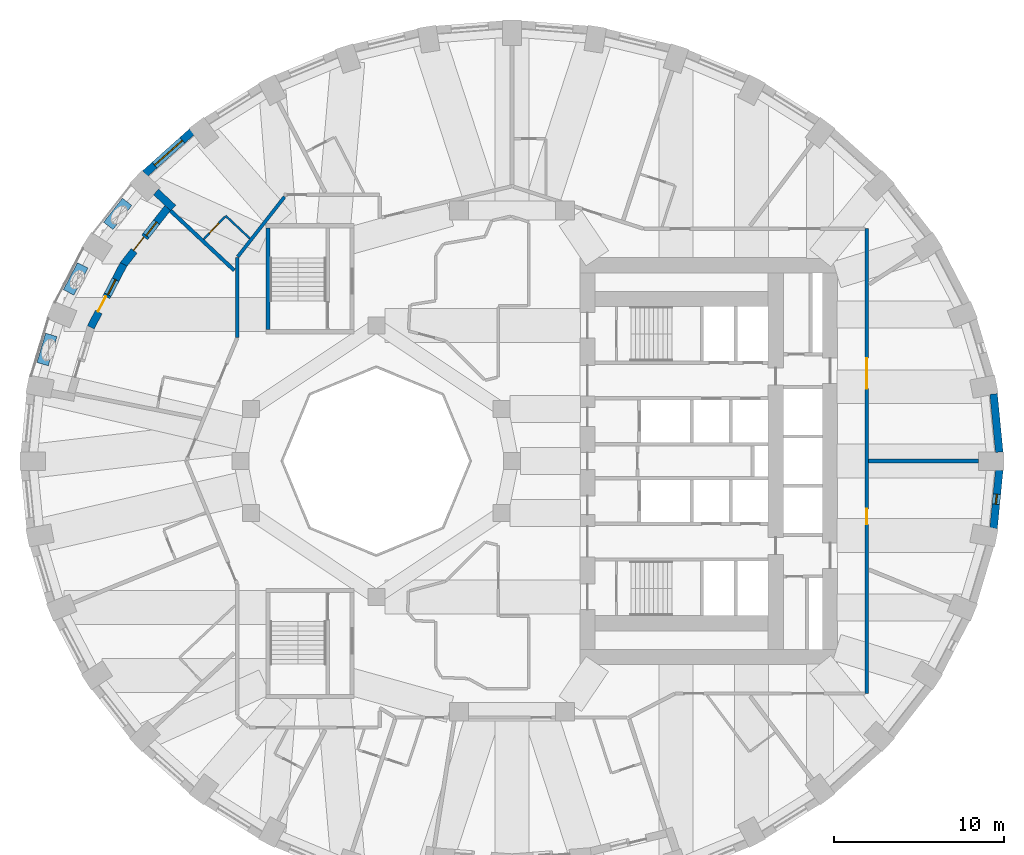
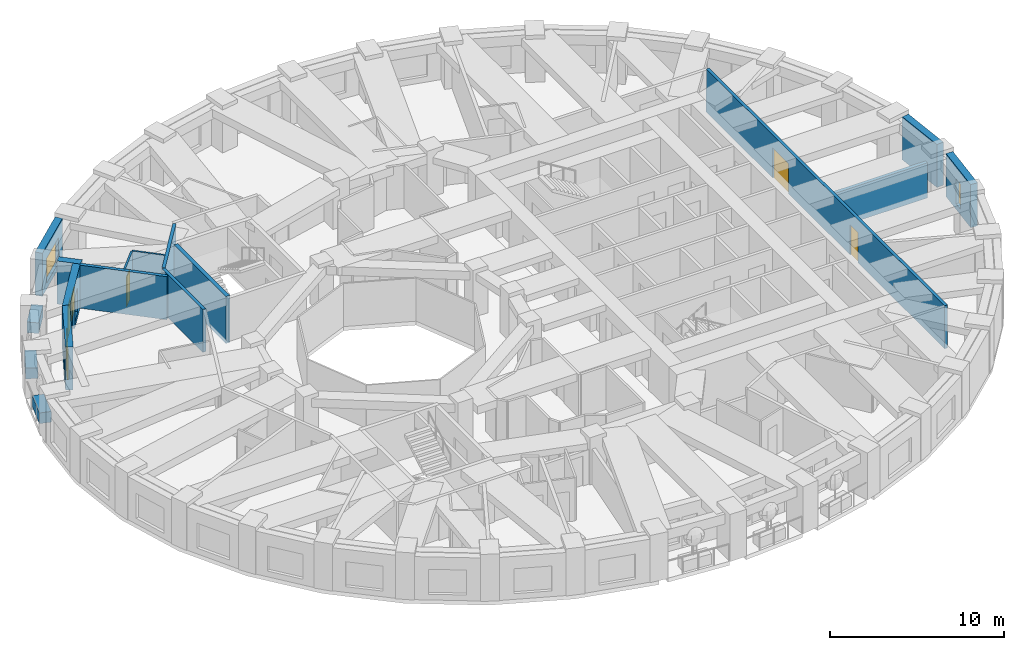
# One storey, part 7 of 13: 17 walls, 5 doors, 4 windows, 9 openings.
"""IFC4 building model written with IfcOpenShell, lengths in metres."""

import ifcopenshell
import ifcopenshell.guid

model = None  # the IFC model being written
_history = None  # IfcOwnerHistory: only IFC2X3 demands one
_inside = {}  # id of a spatial element -> (the spatial element, [elements in it])
_under = {}  # id of a project, library or spatial element -> (it, [spatial elements below it])
_declared = {}  # id of a project -> (the project, [libraries it declares])
_typed = {}  # id of a type object -> (the type object, [elements of that type])
_made_of = {}  # id of a material, layer set ... -> (it, [elements and type objects made of it])


def new_model(schema):
    """Start an empty IFC model of exactly this schema.

    Asked for "IFC4X3", IfcOpenShell would pick the latest addendum, in which some entities
    have other attributes; the version numbers below select the first issue.
    IFC2X3 requires an IfcOwnerHistory on every rooted entity: one is made here for all.
    """
    global model, _history
    if schema == "IFC4X3":
        model = ifcopenshell.file(schema_version=(4, 3, 0, 0))
    else:
        model = ifcopenshell.file(schema=schema)
    _inside.clear()
    _under.clear()
    _declared.clear()
    _typed.clear()
    _made_of.clear()
    _history = None
    if model.schema == "IFC2X3":
        org = make("IfcOrganization", Name="unknown")
        user = make(
            "IfcPersonAndOrganization",
            ThePerson=make("IfcPerson", FamilyName="unknown"),
            TheOrganization=org,
        )
        app = make(
            "IfcApplication",
            ApplicationDeveloper=org,
            Version="unknown",
            ApplicationFullName="unknown",
            ApplicationIdentifier="unknown",
        )
        _history = make(
            "IfcOwnerHistory",
            OwningUser=user,
            OwningApplication=app,
            ChangeAction="ADDED",
            CreationDate=0,
        )
    return model


def make(cls, **values):
    """One entity of the class cls with the attributes given. An attribute that is None is left unset."""
    return model.create_entity(
        cls, **{name: value for name, value in values.items() if value is not None}
    )


def rooted(cls, **values):
    """An entity with a GlobalId (a new one), such as an element, a storey or a relation."""
    return make(cls, GlobalId=ifcopenshell.guid.new(), OwnerHistory=_history, **values)


def si_unit(unit_type, name, prefix=None):
    """IfcSIUnit, for example si_unit("LENGTHUNIT", "METRE", prefix="MILLI")."""
    return make("IfcSIUnit", UnitType=unit_type, Prefix=prefix, Name=name)


def assignment(units):
    """IfcUnitAssignment: the units of a project."""
    return None if units is None else make("IfcUnitAssignment", Units=units)


def point(xyz):
    """IfcCartesianPoint."""
    return None if xyz is None else make("IfcCartesianPoint", Coordinates=xyz)


def direction(xyz):
    """IfcDirection."""
    return None if xyz is None else make("IfcDirection", DirectionRatios=xyz)


def frame(location, z_axis=None, x_axis=None):
    """IfcAxis2Placement3D, a coordinate frame: its origin and axes. An axis left out is left unset."""
    return make(
        "IfcAxis2Placement3D",
        Location=point(location),
        Axis=direction(z_axis),
        RefDirection=direction(x_axis),
    )


def frame_2d(location, x_axis=None):
    """IfcAxis2Placement2D, a coordinate frame in the plane: its origin and x axis."""
    return make(
        "IfcAxis2Placement2D", Location=point(location), RefDirection=direction(x_axis)
    )


def origin():
    """The frame at (0, 0, 0) with its axes left unset."""
    return frame((0.0, 0.0, 0.0))


def place(relative_to, where):
    """IfcLocalPlacement: puts the frame where relative to a parent placement (None: the world)."""
    return make(
        "IfcLocalPlacement", PlacementRelTo=relative_to, RelativePlacement=where
    )


def context(
    kind, dimensions, precision=None, world=None, true_north=None, identifier=None
):
    """IfcGeometricRepresentationContext, for example the 3D "Model" context."""
    return make(
        "IfcGeometricRepresentationContext",
        ContextIdentifier=identifier,
        ContextType=kind,
        CoordinateSpaceDimension=dimensions,
        Precision=precision,
        WorldCoordinateSystem=world,
        TrueNorth=true_north,
    )


def subcontext(parent, identifier, kind, view, scale=None):
    """IfcGeometricRepresentationSubContext, for example "Body" below "Model"."""
    return make(
        "IfcGeometricRepresentationSubContext",
        ContextIdentifier=identifier,
        ContextType=kind,
        ParentContext=parent,
        TargetScale=scale,
        TargetView=view,
    )


def project(units=None, contexts=None):
    """IfcProject with its units and contexts."""
    return rooted(
        "IfcProject",
        Name="project",
        RepresentationContexts=contexts,
        UnitsInContext=assignment(units),
    )


def spatial(cls, under=None, at=None, **own):
    """A site, building, storey or space (cls), placed at a placement, below another one or the project."""
    s = rooted(cls, ObjectPlacement=at, **own)
    if under is not None:
        _under.setdefault(under.id(), (under, []))[1].append(s)
    return s


def profile(cls, at=None, kind="AREA", **sizes):
    """A parametric profile (cls). Its sizes go by their IFC names, for example OverallWidth=200.0."""
    return make(cls, ProfileType=kind, Position=at, **sizes)


def rectangle(**sizes):
    """IfcRectangleProfileDef."""
    return profile("IfcRectangleProfileDef", **sizes)


def extrude(swept, where, along, depth):
    """IfcExtrudedAreaSolid: the profile swept, set in the frame where, extruded along a direction by depth."""
    return make(
        "IfcExtrudedAreaSolid",
        SweptArea=swept,
        Position=where,
        ExtrudedDirection=direction(along),
        Depth=depth,
    )


def shape(context_of_items, identifier, shape_type, items):
    """IfcShapeRepresentation: the items that make up one representation, for example the "Body"."""
    return make(
        "IfcShapeRepresentation",
        ContextOfItems=context_of_items,
        RepresentationIdentifier=identifier,
        RepresentationType=shape_type,
        Items=items,
    )


def material(Name=None, Category=None):
    """IfcMaterial."""
    return make("IfcMaterial", Name=Name, Category=Category)


def layer(
    of_material, thickness, ventilated=None, Name=None, Category=None, Priority=None
):
    """IfcMaterialLayer: one layer of a wall or slab, of a material (None: an air gap)."""
    return make(
        "IfcMaterialLayer",
        Material=of_material,
        LayerThickness=thickness,
        IsVentilated=ventilated,
        Name=Name,
        Category=Category,
        Priority=Priority,
    )


def layer_set(layers, Name=None):
    """IfcMaterialLayerSet."""
    return make("IfcMaterialLayerSet", MaterialLayers=layers, LayerSetName=Name)


def constituent(of_material, Name=None, Category=None, fraction=None):
    """IfcMaterialConstituent: one of the materials an element consists of."""
    return make(
        "IfcMaterialConstituent",
        Name=Name,
        Material=of_material,
        Fraction=fraction,
        Category=Category,
    )


def constituent_set(constituents=None, Name=None):
    """IfcMaterialConstituentSet."""
    return make(
        "IfcMaterialConstituentSet", Name=Name, MaterialConstituents=constituents
    )


def made_of(thing, what):
    """Note that an element or type object is made of a material, layer set ...; save() writes the relation."""
    if what is not None:
        _made_of.setdefault(what.id(), (what, []))[1].append(thing)
    return thing


def type_object(cls, material=None, **own):
    """A type object (cls), such as IfcWallType, which elements share."""
    return made_of(rooted(cls, **own), material)


def element(
    cls,
    number,
    at=None,
    inside=None,
    cuts=None,
    type_object=None,
    material=None,
    context=None,
    identifier="Body",
    shape_type=None,
    held_by="IfcProductDefinitionShape",
    body=None,
    shapes=None,
    **own,
):
    """One element of the class cls, such as IfcWall. Its Tag is "e" and its number.

    at: its placement. inside: the storey or other place that contains it. cuts: it is an
    opening in that element (IfcRelVoidsElement). A single representation is given by context,
    identifier, shape_type and body (its items); several are given by shapes. held_by: the class
    of the entity that holds the representations. save() writes the other relations.
    """
    e = rooted(cls, Tag="e%d" % number, ObjectPlacement=at, **own)
    if body is not None:
        shapes = [shape(context, identifier, shape_type, body)]
    if shapes is not None:
        e.Representation = make(held_by, Representations=shapes)
    if inside is not None:
        _inside.setdefault(inside.id(), (inside, []))[1].append(e)
    if cuts is not None:
        rooted(
            "IfcRelVoidsElement", RelatingBuildingElement=cuts, RelatedOpeningElement=e
        )
    if type_object is not None:
        _typed.setdefault(type_object.id(), (type_object, []))[1].append(e)
    return made_of(e, material)


def fill(opening, filler):
    """IfcRelFillsElement: the door or window that sits in an opening."""
    return rooted(
        "IfcRelFillsElement",
        RelatingOpeningElement=opening,
        RelatedBuildingElement=filler,
    )


def aggregate(whole, parts):
    """IfcRelAggregates: a whole, such as a stair, and the parts it consists of."""
    return rooted("IfcRelAggregates", RelatingObject=whole, RelatedObjects=parts)


def save(model, path):
    """Write the relations noted so far, then the file.

    IfcRelAggregates (storeys below a building ...), IfcRelContainedInSpatialStructure (elements
    in a storey), IfcRelDefinesByType, IfcRelAssociatesMaterial and IfcRelDeclares: one each for
    every whole, place, type object, material and project.
    """
    for whole, parts in _under.values():
        aggregate(whole, parts)
    for where, things in _inside.values():
        rooted(
            "IfcRelContainedInSpatialStructure",
            RelatedElements=things,
            RelatingStructure=where,
        )
    for kind, things in _typed.values():
        rooted("IfcRelDefinesByType", RelatedObjects=things, RelatingType=kind)
    for what, things in _made_of.values():
        rooted("IfcRelAssociatesMaterial", RelatedObjects=things, RelatingMaterial=what)
    for by, libraries in _declared.values():
        rooted("IfcRelDeclares", RelatingContext=by, RelatedDefinitions=libraries)
    model.write(path)


model = new_model("IFC4")

# Units and contexts
model_context = context("Model", 3, precision=1e-05, world=origin(), true_north=direction((0.0, 1.0)))
body_context = subcontext(model_context, "Body", "Model", "MODEL_VIEW")
ifc_project = project(units=[si_unit("LENGTHUNIT", "METRE"), si_unit("AREAUNIT", "SQUARE_METRE"), si_unit("VOLUMEUNIT", "CUBIC_METRE"), si_unit("PLANEANGLEUNIT", "RADIAN"), si_unit("MASSUNIT", "GRAM", prefix="KILO")], contexts=[model_context])

# Site, building, storey
site_placement = place(None, origin())
site = spatial("IfcSite", under=ifc_project, at=site_placement, CompositionType="ELEMENT")
building_placement = place(site_placement, origin())
building = spatial("IfcBuilding", under=site, at=building_placement, Name="Taillehof Tower", CompositionType="ELEMENT")
storey_placement = place(building_placement, frame((0.0, 0.0, 74.5)))
storey = spatial("IfcBuildingStorey", under=building, at=storey_placement, Name="L20", CompositionType="ELEMENT", Elevation=74.5)

# Wall
ifc_material_1 = material(Name="Brick masonry", Category="masonry")
ifc_layer_1 = layer(ifc_material_1, 0.449951171875)
ifc_layer_set_1 = layer_set([ifc_layer_1], Name="Brick infill wall 450")
wall_type_1 = type_object("IfcWallType", Name="Brick infill wall 450", PredefinedType="SOLIDWALL", material=ifc_layer_set_1)
wall_1_placement = place(storey_placement, frame((28.721923828125, 0.530029296875, 0.0), z_axis=(0.0, 0.0, 1.0), x_axis=(-0.097389581596, 0.995246336038, 0.0)))
element("IfcWall", 1, at=wall_1_placement, inside=storey, type_object=wall_type_1, Name="Brick wall L20 bay 1", PredefinedType="SOLIDWALL", context=body_context, shape_type="SweptSolid", body=[
    extrude(rectangle(XDim=3.44189453125, YDim=0.449951171875, at=frame_2d((1.720947265625, 0.0))), origin(), (0.0, 0.0, 1.0), 3.02001953125),
])

# Wall, opening, window
wall_2_placement = place(storey_placement, frame((-18.87060546875, 19.406982421875, 0.0), z_axis=(0.0, 0.0, 1.0), x_axis=(-0.745526233716, -0.66647628228, 0.0)))
wall_2 = element("IfcWall", 2, at=wall_2_placement, inside=storey, type_object=wall_type_1, Name="Brick wall L20 bay 14", PredefinedType="SOLIDWALL", context=body_context, shape_type="SweptSolid", body=[
    extrude(rectangle(XDim=3.69677734375, YDim=0.449951171875, at=frame_2d((1.848388671875, 0.0))), origin(), (0.0, 0.0, 1.0), 3.02001953125),
])
opening_1_placement = place(wall_2_placement, frame((0.74853515625, 0.0, 0.39990234375)))
opening_1 = element("IfcOpeningElement", 3, at=opening_1_placement, cuts=wall_2, Name="Opening W1", PredefinedType="OPENING", context=body_context, shape_type="SweptSolid", body=[
    extrude(rectangle(XDim=2.199951171875, YDim=1.75, at=frame_2d((1.10009765625, 0.875))), frame((0.0, 0.23486328125, 0.0), z_axis=(0.0, -1.0, 0.0), x_axis=(1.0, 0.0, 0.0)), (0.0, 0.0, 1.0), 0.469970703125),
])
ifc_material_2 = material(Name="Aluminium window frame with clear double glazing", Category="aluminium")
window_type_1 = type_object("IfcWindowType", Name="Deep-set window 2200x1750", PartitioningType="SINGLE_PANEL", PredefinedType="WINDOW", material=ifc_material_2)
window_1_placement = place(opening_1_placement, origin())
window_1 = element("IfcWindow", 4, at=window_1_placement, inside=storey, type_object=window_type_1, Name="W1", OverallHeight=1.75, OverallWidth=2.199951171875, PartitioningType="SINGLE_PANEL", PredefinedType="WINDOW", context=body_context, shape_type="SweptSolid", body=[
    extrude(rectangle(XDim=2.199951171875, YDim=1.75, at=frame_2d((1.10009765625, 0.875))), frame((0.0, 0.034912109375, 0.0), z_axis=(0.0, -1.0, 0.0), x_axis=(1.0, 0.0, 0.0)), (0.0, 0.0, 1.0), 0.06005859375),
])
fill(opening_1, window_1)

wall_3_placement = place(storey_placement, frame((28.38671875, -3.95556640625, 0.0), z_axis=(0.0, 0.0, 1.0), x_axis=(0.097389581596, 0.995246336038, 0.0)))
wall_3 = element("IfcWall", 5, at=wall_3_placement, inside=storey, type_object=wall_type_1, Name="Brick wall L20 bay 36", PredefinedType="SOLIDWALL", context=body_context, shape_type="SweptSolid", body=[
    extrude(rectangle(XDim=3.44189453125, YDim=0.449951171875, at=frame_2d((1.720947265625, 0.0))), origin(), (0.0, 0.0, 1.0), 3.02001953125),
])
opening_2_placement = place(wall_3_placement, frame((1.4208984375, 0.0, 0.39990234375)))
opening_2 = element("IfcOpeningElement", 6, at=opening_2_placement, cuts=wall_3, Name="Opening W6", PredefinedType="OPENING", context=body_context, shape_type="SweptSolid", body=[
    extrude(rectangle(XDim=0.60009765625, YDim=1.75, at=frame_2d((0.300048828125, 0.875))), frame((0.0, 0.23486328125, 0.0), z_axis=(0.0, -1.0, 0.0), x_axis=(1.0, 0.0, 0.0)), (0.0, 0.0, 1.0), 0.469970703125),
])
ifc_material_3 = material(Name="Aluminium window frame with clear double glazing", Category="aluminium")
window_type_2 = type_object("IfcWindowType", Name="Slot window 600x1750", PartitioningType="SINGLE_PANEL", PredefinedType="WINDOW", material=ifc_material_3)
window_2_placement = place(opening_2_placement, origin())
window_2 = element("IfcWindow", 7, at=window_2_placement, inside=storey, type_object=window_type_2, Name="W6", OverallHeight=1.75, OverallWidth=0.60009765625, PartitioningType="SINGLE_PANEL", PredefinedType="WINDOW", context=body_context, shape_type="SweptSolid", body=[
    extrude(rectangle(XDim=0.60009765625, YDim=1.75, at=frame_2d((0.300048828125, 0.875))), frame((0.0, 0.034912109375, 0.0), z_axis=(0.0, -1.0, 0.0), x_axis=(1.0, 0.0, 0.0)), (0.0, 0.0, 1.0), 0.06005859375),
])
fill(opening_2, window_2)

# Wall
wall_4_placement = place(storey_placement, frame((-20.981689453125, 15.8662109375, 0.0), z_axis=(0.0, 0.0, 1.0), x_axis=(0.730062381614, -0.683380508174, 0.0)))
element("IfcWall", 8, at=wall_4_placement, inside=storey, type_object=wall_type_1, Name="Brick reveal L20 pocket 4", PredefinedType="SOLIDWALL", context=body_context, shape_type="SweptSolid", body=[
    extrude(rectangle(XDim=1.39111328125, YDim=0.449951171875, at=frame_2d((0.695556640625, 0.0))), origin(), (0.0, 0.0, 1.0), 3.02001953125),
])

# Wall, openings, door, window
wall_5_placement = place(storey_placement, frame((-20.298095703125, 14.918212890625, 0.0), z_axis=(0.0, 0.0, 1.0), x_axis=(-0.615578403957, -0.788075649022, 0.0)))
wall_5 = element("IfcWall", 9, at=wall_5_placement, inside=storey, type_object=wall_type_1, Name="Brick wall L20 pocket bay 15", PredefinedType="SOLIDWALL", context=body_context, shape_type="SweptSolid", body=[
    extrude(rectangle(XDim=4.2587890625, YDim=0.449951171875, at=frame_2d((2.12939453125, 0.0))), origin(), (0.0, 0.0, 1.0), 3.02001953125),
])
opening_3_placement = place(wall_5_placement, frame((1.05419921875, 0.0, 0.39990234375)))
opening_3 = element("IfcOpeningElement", 10, at=opening_3_placement, cuts=wall_5, Name="Opening W5", PredefinedType="OPENING", context=body_context, shape_type="SweptSolid", body=[
    extrude(rectangle(XDim=1.0, YDim=1.75, at=frame_2d((0.5, 0.875))), frame((0.0, 0.23486328125, 0.0), z_axis=(0.0, -1.0, 0.0), x_axis=(1.0, 0.0, 0.0)), (0.0, 0.0, 1.0), 0.469970703125),
])
opening_4_placement = place(wall_5_placement, frame((2.204345703125, 0.0, 0.0)))
opening_4 = element("IfcOpeningElement", 11, at=opening_4_placement, cuts=wall_5, Name="Opening D2094", PredefinedType="OPENING", context=body_context, shape_type="SweptSolid", body=[
    extrude(rectangle(XDim=1.0, YDim=2.14990234375, at=frame_2d((0.5, 1.074951171875))), frame((0.0, 0.23486328125, 0.0), z_axis=(0.0, -1.0, 0.0), x_axis=(1.0, 0.0, 0.0)), (0.0, 0.0, 1.0), 0.469970703125),
])
ifc_material_4 = material(Name="Aluminium door frame with clear double glazing", Category="aluminium")
door_type_1 = type_object("IfcDoorType", Name="Balcony door 1000x2150", OperationType="SINGLE_SWING_RIGHT", PredefinedType="DOOR", material=ifc_material_4)
door_1_placement = place(opening_4_placement, frame((1.0, 0.0, 0.0), z_axis=(0.0, 0.0, 1.0), x_axis=(-1.0, 0.0, 0.0)))
door_1 = element("IfcDoor", 12, at=door_1_placement, inside=storey, type_object=door_type_1, Name="Balcony door L20 bay 15", OperationType="SINGLE_SWING_RIGHT", OverallHeight=2.14990234375, OverallWidth=1.0, PredefinedType="DOOR", context=body_context, shape_type="SweptSolid", body=[
    extrude(rectangle(XDim=1.0, YDim=2.14990234375, at=frame_2d((0.5, 1.074951171875))), frame((0.0, 0.0751953125, 0.0), z_axis=(0.0, -1.0, 0.0), x_axis=(1.0, 0.0, 0.0)), (0.0, 0.0, 1.0), 0.050048828125),
])
fill(opening_4, door_1)
ifc_material_5 = material(Name="Aluminium window frame with clear double glazing", Category="aluminium")
window_type_3 = type_object("IfcWindowType", Name="Fixed window 1000x1750", PartitioningType="SINGLE_PANEL", PredefinedType="WINDOW", material=ifc_material_5)
window_3_placement = place(opening_3_placement, origin())
window_3 = element("IfcWindow", 13, at=window_3_placement, inside=storey, type_object=window_type_3, Name="W5", OverallHeight=1.75, OverallWidth=1.0, PartitioningType="SINGLE_PANEL", PredefinedType="WINDOW", context=body_context, shape_type="SweptSolid", body=[
    extrude(rectangle(XDim=1.0, YDim=1.75, at=frame_2d((0.5, 0.875))), frame((0.0, 0.034912109375, 0.0), z_axis=(0.0, -1.0, 0.0), x_axis=(1.0, 0.0, 0.0)), (0.0, 0.0, 1.0), 0.06005859375),
])
fill(opening_3, window_3)

wall_6_placement = place(storey_placement, frame((-22.897216796875, 11.5966796875, 0.0), z_axis=(0.0, 0.0, 1.0), x_axis=(-0.461514453451, -0.887132689769, 0.0)))
wall_6 = element("IfcWall", 14, at=wall_6_placement, inside=storey, type_object=wall_type_1, Name="Brick wall L20 pocket bay 16", PredefinedType="SOLIDWALL", context=body_context, shape_type="SweptSolid", body=[
    extrude(rectangle(XDim=4.182861328125, YDim=0.449951171875, at=frame_2d((2.09130859375, 0.0))), origin(), (0.0, 0.0, 1.0), 3.02001953125),
])
opening_5_placement = place(wall_6_placement, frame((1.016357421875, 0.0, 0.39990234375)))
opening_5 = element("IfcOpeningElement", 15, at=opening_5_placement, cuts=wall_6, Name="Opening W5", PredefinedType="OPENING", context=body_context, shape_type="SweptSolid", body=[
    extrude(rectangle(XDim=1.0, YDim=1.75, at=frame_2d((0.5, 0.875))), frame((0.0, 0.23486328125, 0.0), z_axis=(0.0, -1.0, 0.0), x_axis=(1.0, 0.0, 0.0)), (0.0, 0.0, 1.0), 0.469970703125),
])
opening_6_placement = place(wall_6_placement, frame((2.16650390625, 0.0, 0.0)))
opening_6 = element("IfcOpeningElement", 16, at=opening_6_placement, cuts=wall_6, Name="Opening D2095", PredefinedType="OPENING", context=body_context, shape_type="SweptSolid", body=[
    extrude(rectangle(XDim=1.0, YDim=2.14990234375, at=frame_2d((0.5, 1.074951171875))), frame((0.0, 0.23486328125, 0.0), z_axis=(0.0, -1.0, 0.0), x_axis=(1.0, 0.0, 0.0)), (0.0, 0.0, 1.0), 0.469970703125),
])
door_2_placement = place(opening_6_placement, frame((1.0, 0.0, 0.0), z_axis=(0.0, 0.0, 1.0), x_axis=(-1.0, 0.0, 0.0)))
door_2 = element("IfcDoor", 17, at=door_2_placement, inside=storey, type_object=door_type_1, Name="Balcony door L20 bay 16", OperationType="SINGLE_SWING_LEFT", OverallHeight=2.14990234375, OverallWidth=1.0, PredefinedType="DOOR", context=body_context, shape_type="SweptSolid", body=[
    extrude(rectangle(XDim=1.0, YDim=2.14990234375, at=frame_2d((0.5, 1.074951171875))), frame((0.0, 0.0751953125, 0.0), z_axis=(0.0, -1.0, 0.0), x_axis=(1.0, 0.0, 0.0)), (0.0, 0.0, 1.0), 0.050048828125),
])
fill(opening_6, door_2)
window_4_placement = place(opening_5_placement, origin())
window_4 = element("IfcWindow", 18, at=window_4_placement, inside=storey, type_object=window_type_3, Name="W5", OverallHeight=1.75, OverallWidth=1.0, PartitioningType="SINGLE_PANEL", PredefinedType="WINDOW", context=body_context, shape_type="SweptSolid", body=[
    extrude(rectangle(XDim=1.0, YDim=1.75, at=frame_2d((0.5, 0.875))), frame((0.0, 0.034912109375, 0.0), z_axis=(0.0, -1.0, 0.0), x_axis=(1.0, 0.0, 0.0)), (0.0, 0.0, 1.0), 0.06005859375),
])
fill(opening_5, window_4)

# Wall, openings, doors
ifc_material_6 = material(Name="Gypsum board on steel studs, two layers each side", Category="steel")
ifc_layer_2 = layer(ifc_material_6, 0.199951171875)
ifc_layer_set_2 = layer_set([ifc_layer_2], Name="Compartment wall corridor 200")
wall_type_2 = type_object("IfcWallType", Name="Compartment wall corridor 200", PredefinedType="PARTITIONING", material=ifc_layer_set_2)
wall_7_placement = place(storey_placement, frame((20.89990234375, 13.699951171875, 0.0), z_axis=(0.0, 0.0, 1.0), x_axis=(0.0, -1.0, 0.0)))
wall_7 = element("IfcWall", 19, at=wall_7_placement, inside=storey, type_object=wall_type_2, Name="Compartment wall", PredefinedType="PARTITIONING", context=body_context, shape_type="SweptSolid", body=[
    extrude(rectangle(XDim=27.39990234375, YDim=0.199951171875, at=frame_2d((13.699951171875, 0.0))), origin(), (0.0, 0.0, 1.0), 3.02001953125),
])
opening_7_placement = place(wall_7_placement, frame((16.522705078125, 0.0, 0.0)))
opening_7 = element("IfcOpeningElement", 20, at=opening_7_placement, cuts=wall_7, Name="Opening D2065", PredefinedType="OPENING", context=body_context, shape_type="SweptSolid", body=[
    extrude(rectangle(XDim=0.89990234375, YDim=2.10009765625, at=frame_2d((0.449951171875, 1.050048828125))), frame((0.0, 0.10986328125, 0.0), z_axis=(0.0, -1.0, 0.0), x_axis=(1.0, 0.0, 0.0)), (0.0, 0.0, 1.0), 0.219970703125),
])
opening_8_placement = place(wall_7_placement, frame((7.634521484375, 0.0, 0.0)))
opening_8 = element("IfcOpeningElement", 21, at=opening_8_placement, cuts=wall_7, Name="Opening D2066", PredefinedType="OPENING", context=body_context, shape_type="SweptSolid", body=[
    extrude(rectangle(XDim=1.800048828125, YDim=2.10009765625, at=frame_2d((0.89990234375, 1.050048828125))), frame((0.0, 0.10986328125, 0.0), z_axis=(0.0, -1.0, 0.0), x_axis=(1.0, 0.0, 0.0)), (0.0, 0.0, 1.0), 0.219970703125),
])
ifc_material_7 = material(Name="Timber door leaf in steel frame", Category="steel")
door_type_2 = type_object("IfcDoorType", Name="Lounge and meeting room double door EI 30 1800 x 2100", OperationType="SINGLE_SWING_LEFT", PredefinedType="DOOR", material=ifc_material_7)
door_3_placement = place(opening_8_placement, origin())
door_3 = element("IfcDoor", 22, at=door_3_placement, inside=storey, type_object=door_type_2, Name="D2066", OperationType="DOUBLE_DOOR_SINGLE_SWING", OverallHeight=2.10009765625, OverallWidth=1.800048828125, PredefinedType="DOOR", context=body_context, shape_type="SweptSolid", body=[
    extrude(rectangle(XDim=1.800048828125, YDim=2.10009765625, at=frame_2d((0.89990234375, 1.050048828125))), frame((0.0, 0.02490234375, 0.0), z_axis=(0.0, -1.0, 0.0), x_axis=(1.0, 0.0, 0.0)), (0.0, 0.0, 1.0), 0.050048828125),
])
fill(opening_8, door_3)
ifc_material_8 = material(Name="Timber door leaf in steel frame", Category="steel")
door_type_3 = type_object("IfcDoorType", Name="Service room door EI 30 900 x 2100", OperationType="SINGLE_SWING_LEFT", PredefinedType="DOOR", material=ifc_material_8)
door_4_placement = place(opening_7_placement, origin())
door_4 = element("IfcDoor", 23, at=door_4_placement, inside=storey, type_object=door_type_3, Name="D2065", OperationType="SINGLE_SWING_RIGHT", OverallHeight=2.10009765625, OverallWidth=0.89990234375, PredefinedType="DOOR", context=body_context, shape_type="SweptSolid", body=[
    extrude(rectangle(XDim=0.89990234375, YDim=2.10009765625, at=frame_2d((0.449951171875, 1.050048828125))), frame((0.0, 0.02490234375, 0.0), z_axis=(0.0, -1.0, 0.0), x_axis=(1.0, 0.0, 0.0)), (0.0, 0.0, 1.0), 0.050048828125),
])
fill(opening_7, door_4)

# Walls
wall_8_placement = place(storey_placement, frame((-16.199951171875, 7.29833984375, 0.0), z_axis=(0.0, 0.0, 1.0), x_axis=(0.0, 1.0, 0.0)))
element("IfcWall", 24, at=wall_8_placement, inside=storey, type_object=wall_type_2, Name="Compartment wall", PredefinedType="PARTITIONING", context=body_context, shape_type="SweptSolid", body=[
    extrude(rectangle(XDim=4.703125, YDim=0.199951171875, at=frame_2d((2.3515625, 0.0))), origin(), (0.0, 0.0, 1.0), 3.02001953125),
])
wall_9_placement = place(storey_placement, frame((-16.163330078125, 12.049072265625, 0.0), z_axis=(0.0, 0.0, 1.0), x_axis=(0.6157435057, 0.787946657578, 0.0)))
element("IfcWall", 25, at=wall_9_placement, inside=storey, type_object=wall_type_2, Name="Compartment wall", PredefinedType="PARTITIONING", context=body_context, shape_type="SweptSolid", body=[
    extrude(rectangle(XDim=4.477294921875, YDim=0.199951171875, at=frame_2d((2.23876953125, 0.0))), origin(), (0.0, 0.0, 1.0), 3.02001953125),
])
ifc_material_9 = material(Name="Gypsum board on double steel studs with mineral wool", Category="steel")
ifc_layer_3 = layer(ifc_material_9, 0.219970703125)
ifc_layer_set_3 = layer_set([ifc_layer_3], Name="Compartment wall guest room 220")
wall_type_3 = type_object("IfcWallType", Name="Compartment wall guest room 220", PredefinedType="PARTITIONING", material=ifc_layer_set_3)
wall_10_placement = place(storey_placement, frame((27.5, 0.0, 0.0), z_axis=(0.0, 0.0, 1.0), x_axis=(-1.0, 0.0, 0.0)))
element("IfcWall", 26, at=wall_10_placement, inside=storey, type_object=wall_type_3, Name="Compartment wall", PredefinedType="PARTITIONING", context=body_context, shape_type="SweptSolid", body=[
    extrude(rectangle(XDim=6.5, YDim=0.219970703125, at=frame_2d((3.25, 0.0))), origin(), (0.0, 0.0, 1.0), 2.469970703125),
])
wall_11_placement = place(storey_placement, frame((-20.133056640625, 14.763671875, 0.0), z_axis=(0.0, 0.0, 1.0), x_axis=(0.730092856427, -0.683347950165, 0.0)))
element("IfcWall", 27, at=wall_11_placement, inside=storey, type_object=wall_type_3, Name="Compartment wall", PredefinedType="PARTITIONING", context=body_context, shape_type="SweptSolid", body=[
    extrude(rectangle(XDim=5.149658203125, YDim=0.219970703125, at=frame_2d((2.57470703125, 0.0))), origin(), (0.0, 0.0, 1.0), 3.02001953125),
])
ifc_material_10 = material(Name="Gypsum board on steel studs, moisture resistant", Category="steel")
ifc_layer_4 = layer(ifc_material_10, 0.1201171875)
ifc_layer_set_4 = layer_set([ifc_layer_4], Name="En-suite wall 120")
wall_type_4 = type_object("IfcWallType", Name="En-suite wall 120", PredefinedType="PARTITIONING", material=ifc_layer_set_4)
wall_12_placement = place(storey_placement, frame((-15.451904296875, 13.12158203125, 0.0), z_axis=(0.0, 0.0, 1.0), x_axis=(-0.730035995084, 0.683408696083, 0.0)))
element("IfcWall", 28, at=wall_12_placement, inside=storey, type_object=wall_type_4, Name="En-suite wall", PredefinedType="PARTITIONING", context=body_context, shape_type="SweptSolid", body=[
    extrude(rectangle(XDim=1.953125, YDim=0.1201171875, at=frame_2d((0.9765625, 0.0))), origin(), (0.0, 0.0, 1.0), 3.02001953125),
])

# Wall, opening, door
wall_13_placement = place(storey_placement, frame((-16.918701171875, 14.41259765625, 0.0), z_axis=(0.0, 0.0, 1.0), x_axis=(-0.683306289544, -0.730131847456, 0.0)))
wall_13 = element("IfcWall", 29, at=wall_13_placement, inside=storey, type_object=wall_type_4, Name="En-suite wall", PredefinedType="PARTITIONING", context=body_context, shape_type="SweptSolid", body=[
    extrude(rectangle(XDim=1.830078125, YDim=0.1201171875, at=frame_2d((0.9150390625, 0.0))), origin(), (0.0, 0.0, 1.0), 3.02001953125),
])
opening_9_placement = place(wall_13_placement, frame((0.5400390625, 0.0, 0.0)))
opening_9 = element("IfcOpeningElement", 30, at=opening_9_placement, cuts=wall_13, Name="Opening D2047", PredefinedType="OPENING", context=body_context, shape_type="SweptSolid", body=[
    extrude(rectangle(XDim=0.800048828125, YDim=2.10009765625, at=frame_2d((0.39990234375, 1.050048828125))), frame((0.0, 0.070068359375, 0.0), z_axis=(0.0, -1.0, 0.0), x_axis=(1.0, 0.0, 0.0)), (0.0, 0.0, 1.0), 0.14013671875),
])
ifc_material_11 = material(Name="Timber door leaf in steel frame", Category="steel")
door_type_4 = type_object("IfcDoorType", Name="En-suite door 800 x 2100", OperationType="SINGLE_SWING_LEFT", PredefinedType="DOOR", material=ifc_material_11)
door_5_placement = place(opening_9_placement, origin())
door_5 = element("IfcDoor", 31, at=door_5_placement, inside=storey, type_object=door_type_4, Name="D2047", OperationType="SINGLE_SWING_LEFT", OverallHeight=2.10009765625, OverallWidth=0.800048828125, PredefinedType="DOOR", context=body_context, shape_type="SweptSolid", body=[
    extrude(rectangle(XDim=0.800048828125, YDim=2.10009765625, at=frame_2d((0.39990234375, 1.050048828125))), frame((0.0, 0.02490234375, 0.0), z_axis=(0.0, -1.0, 0.0), x_axis=(1.0, 0.0, 0.0)), (0.0, 0.0, 1.0), 0.050048828125),
])
fill(opening_9, door_5)

# Walls
ifc_material_12 = material(Name="Concrete C30/37 precast", Category="concrete")
ifc_constituent_1 = constituent(ifc_material_12, Name="Structure", Category="concrete")
ifc_material_13 = material(Name="Insulated lining")
ifc_constituent_2 = constituent(ifc_material_13, Name="Lining")
ifc_constituent_set = constituent_set(constituents=[ifc_constituent_1, ifc_constituent_2], Name="Planter trough 700x750")
wall_type_5 = type_object("IfcWallType", Name="Planter trough 700x750", PredefinedType="USERDEFINED", material=ifc_constituent_set)
wall_14_placement = place(storey_placement, frame((-22.685546875, 15.28125, 0.0), z_axis=(0.0, 0.0, 1.0), x_axis=(-0.616622746332, -0.787258781282, 0.0)))
element("IfcWall", 32, at=wall_14_placement, inside=storey, type_object=wall_type_5, Name="Planter L20 bay 15", ObjectType="PLANTER", PredefinedType="USERDEFINED", context=body_context, shape_type="SweptSolid", body=[
    extrude(rectangle(XDim=1.7998046875, YDim=0.699951171875, at=frame_2d((0.89990234375, 0.0))), origin(), (0.0, 0.0, 1.0), 0.75),
])
wall_15_placement = place(storey_placement, frame((-25.300048828125, 11.536865234375, 0.0), z_axis=(0.0, 0.0, 1.0), x_axis=(-0.462501112253, -0.886618701114, 0.0)))
element("IfcWall", 33, at=wall_15_placement, inside=storey, type_object=wall_type_5, Name="Planter L20 bay 16", ObjectType="PLANTER", PredefinedType="USERDEFINED", context=body_context, shape_type="SweptSolid", body=[
    extrude(rectangle(XDim=1.800048828125, YDim=0.699951171875, at=frame_2d((0.89990234375, 0.0))), origin(), (0.0, 0.0, 1.0), 0.75),
])
wall_16_placement = place(storey_placement, frame((-27.152099609375, 7.439453125, 0.0), z_axis=(0.0, 0.0, 1.0), x_axis=(-0.287024312863, -0.957923297465, 0.0)))
element("IfcWall", 34, at=wall_16_placement, inside=storey, type_object=wall_type_5, Name="Planter L20 bay 17", ObjectType="PLANTER", PredefinedType="USERDEFINED", context=body_context, shape_type="SweptSolid", body=[
    extrude(rectangle(XDim=1.7998046875, YDim=0.699951171875, at=frame_2d((0.89990234375, 0.0))), origin(), (0.0, 0.0, 1.0), 0.75),
])
ifc_material_14 = material(Name="Concrete C50/60", Category="concrete")
ifc_layer_5 = layer(ifc_material_14, 0.25)
ifc_layer_set_5 = layer_set([ifc_layer_5], Name="Stair wall C50/60 250")
wall_type_6 = type_object("IfcWallType", Name="Stair wall C50/60 250", PredefinedType="SHEAR", material=ifc_layer_set_5)
wall_17_placement = place(storey_placement, frame((-14.375, 7.75, -0.280029296875), z_axis=(0.0, 0.0, 1.0), x_axis=(0.0, 1.0, 0.0)))
element("IfcWall", 35, at=wall_17_placement, inside=storey, type_object=wall_type_6, Name="Stair wall SC", PredefinedType="SHEAR", context=body_context, shape_type="SweptSolid", body=[
    extrude(rectangle(XDim=6.0, YDim=0.25, at=frame_2d((3.0, 0.0))), origin(), (0.0, 0.0, 1.0), 3.300048828125),
])

save(model, "model.ifc")
